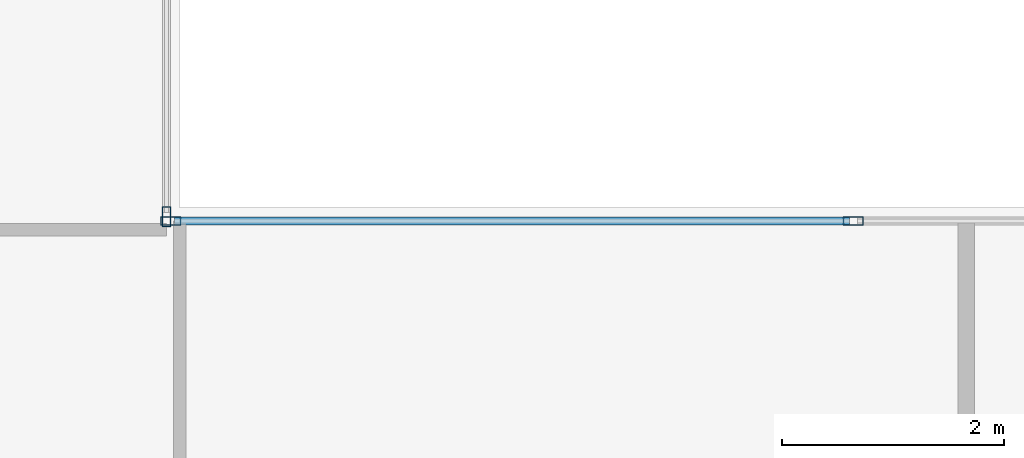
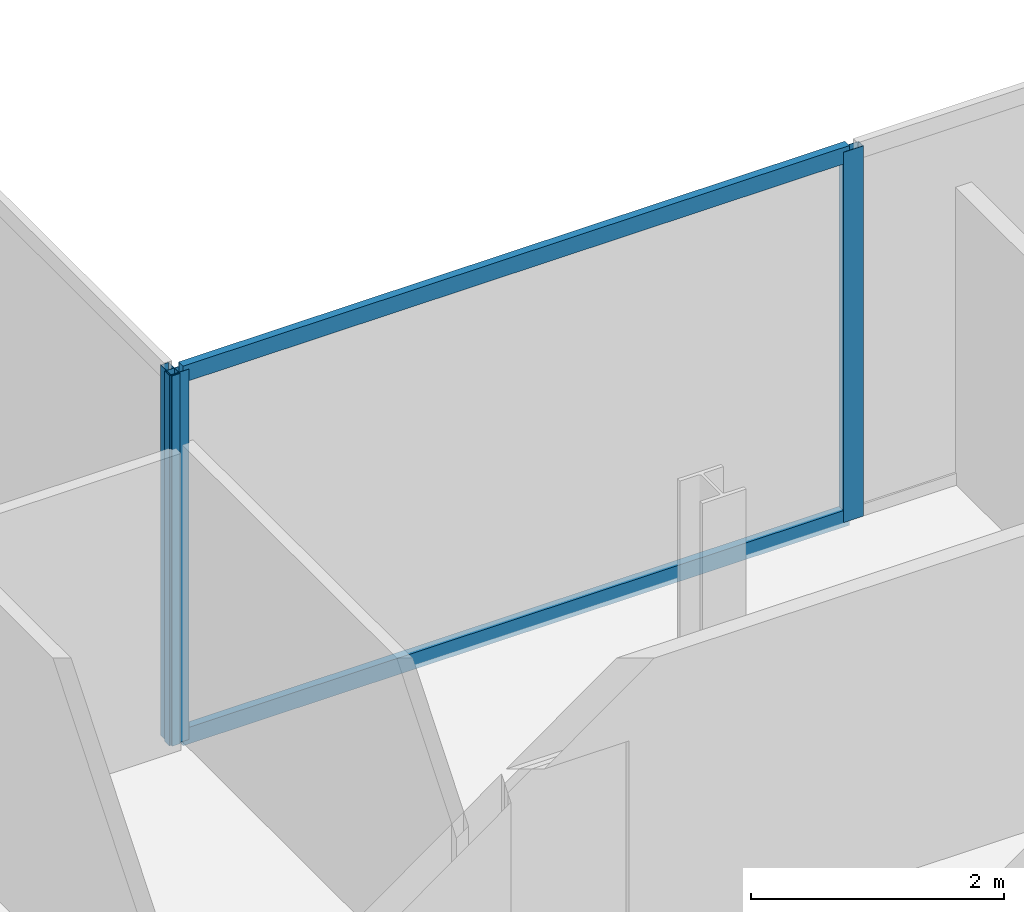
# One storey, part 7 of 23: 5 members, 2 elements without a shape of their own.
"""IFC4 building model written with IfcOpenShell, lengths in metres."""

from ifc_helpers import new_model, si_unit, direction, frame, origin, origin_2d, place, context, subcontext, project, spatial, hollow_rectangle, extrude, material, material_profile, profile_set, type_object, element, aggregate, save


model = new_model("IFC4")

# Units and contexts
model_context = context("Model", 3, precision=1e-05, world=origin(), true_north=direction((0.0, 1.0)))
body_context = subcontext(model_context, "Body", "Model", "MODEL_VIEW")
ifc_project = project(units=[si_unit("LENGTHUNIT", "METRE"), si_unit("AREAUNIT", "SQUARE_METRE"), si_unit("VOLUMEUNIT", "CUBIC_METRE"), si_unit("PLANEANGLEUNIT", "RADIAN"), si_unit("MASSUNIT", "GRAM", prefix="KILO")], contexts=[model_context])

# Site, building, storey
site_placement = place(None, origin())
site = spatial("IfcSite", under=ifc_project, at=site_placement, CompositionType="ELEMENT")
building_placement = place(site_placement, origin())
building = spatial("IfcBuilding", under=site, at=building_placement, Name="Cobrela Telecom Tower", CompositionType="ELEMENT")
storey_placement = place(building_placement, frame((0.0, 0.0, 148.39990234375)))
storey = spatial("IfcBuildingStorey", under=building, at=storey_placement, Name="L37", CompositionType="ELEMENT", Elevation=148.39990234375)

# Curtain wall, member
ifc_material = material(Name="Anodized Bronze Aluminium 6063-T6", Category="aluminium")
curtain_wall_type = type_object("IfcCurtainWallType", Name="CW-SYS-TEL", PredefinedType="USERDEFINED", material=ifc_material)
curtain_wall_1_placement = place(storey_placement, origin())
curtain_wall_1 = element("IfcCurtainWall", 1, at=curtain_wall_1_placement, inside=storey, type_object=curtain_wall_type, Name="L37 Unitised Bronze Curtain Wall 10", ObjectType="UNITISED CURTAIN WALL", PredefinedType="USERDEFINED")
ifc_material_profile_1 = material_profile(ifc_material, hollow_rectangle(XDim=0.074951171875, YDim=0.179931640625, WallThickness=0.00390625, at=origin_2d()), Name="ALU 75x180x4")
ifc_profile_set_1 = profile_set([ifc_material_profile_1], Name="Anodized Bronze Aluminium 6063-T6")
member_type_1 = type_object("IfcMemberType", Name="CW-SYS-TEL-MUL", PredefinedType="MULLION", material=ifc_profile_set_1)
member_1_placement = place(storey_placement, frame((25.8798828125, 25.117431640625, 0.0), z_axis=(0.0, 0.0, 1.0), x_axis=(1.0, 0.0, 0.0)))
member_1 = element("IfcMember", 2, at=member_1_placement, type_object=member_type_1, Name="CW-TEL mullion 3", PredefinedType="MULLION", context=body_context, shape_type="SweptSolid", body=[
    extrude(hollow_rectangle(XDim=0.074951171875, YDim=0.179931640625, WallThickness=0.00390625, at=origin_2d()), origin(), (0.0, 0.0, 1.0), 3.580078125),
])
aggregate(curtain_wall_1, [member_1])

# Curtain wall, members
curtain_wall_2_placement = place(storey_placement, origin())
curtain_wall_2 = element("IfcCurtainWall", 3, at=curtain_wall_2_placement, inside=storey, type_object=curtain_wall_type, Name="L37 Unitised Bronze Curtain Wall 11", ObjectType="UNITISED CURTAIN WALL", PredefinedType="USERDEFINED")
member_2_placement = place(storey_placement, frame((25.91748046875, 25.080078125, 0.0), z_axis=(0.0, 0.0, 1.0), x_axis=(0.0, 1.0, 0.0)))
member_2 = element("IfcMember", 4, at=member_2_placement, type_object=member_type_1, Name="CW-TEL mullion 1", PredefinedType="MULLION", context=body_context, shape_type="SweptSolid", body=[
    extrude(hollow_rectangle(XDim=0.074951171875, YDim=0.179931640625, WallThickness=0.00390625, at=origin_2d()), origin(), (0.0, 0.0, 1.0), 3.580078125),
])
member_3_placement = place(storey_placement, frame((32.083251953125, 25.080078125, 0.0), z_axis=(0.0, 0.0, 1.0), x_axis=(0.0, 1.0, 0.0)))
member_3 = element("IfcMember", 5, at=member_3_placement, type_object=member_type_1, Name="CW-TEL mullion 2", PredefinedType="MULLION", context=body_context, shape_type="SweptSolid", body=[
    extrude(hollow_rectangle(XDim=0.074951171875, YDim=0.179931640625, WallThickness=0.00390625, at=origin_2d()), origin(), (0.0, 0.0, 1.0), 3.580078125),
])
ifc_material_profile_2 = material_profile(ifc_material, hollow_rectangle(XDim=0.070068359375, YDim=0.159912109375, WallThickness=0.00390625, at=origin_2d()), Name="ALU 70x160x4")
ifc_profile_set_2 = profile_set([ifc_material_profile_2], Name="Anodized Bronze Aluminium 6063-T6")
member_type_2 = type_object("IfcMemberType", Name="CW-SYS-TEL-TRN", PredefinedType="USERDEFINED", material=ifc_profile_set_2)
member_4_placement = place(storey_placement, frame((25.955078125, 25.080078125, 0.03515625), z_axis=(1.0, 0.0, 0.0), x_axis=(0.0, 1.0, 0.0)))
member_4 = element("IfcMember", 6, at=member_4_placement, type_object=member_type_2, Name="CW-TEL transom 1.1", ObjectType="TRANSOM", PredefinedType="USERDEFINED", context=body_context, shape_type="SweptSolid", body=[
    extrude(hollow_rectangle(XDim=0.070068359375, YDim=0.159912109375, WallThickness=0.00390625, at=origin_2d()), origin(), (0.0, 0.0, 1.0), 6.0908203125),
])
member_5_placement = place(storey_placement, frame((25.955078125, 25.080078125, 3.545166015625), z_axis=(1.0, 0.0, 0.0), x_axis=(0.0, 1.0, 0.0)))
member_5 = element("IfcMember", 7, at=member_5_placement, type_object=member_type_2, Name="CW-TEL transom 1.2", ObjectType="TRANSOM", PredefinedType="USERDEFINED", context=body_context, shape_type="SweptSolid", body=[
    extrude(hollow_rectangle(XDim=0.070068359375, YDim=0.159912109375, WallThickness=0.00390625, at=origin_2d()), origin(), (0.0, 0.0, 1.0), 6.0908203125),
])
aggregate(curtain_wall_2, [member_2, member_3, member_4, member_5])

save(model, "model.ifc")
